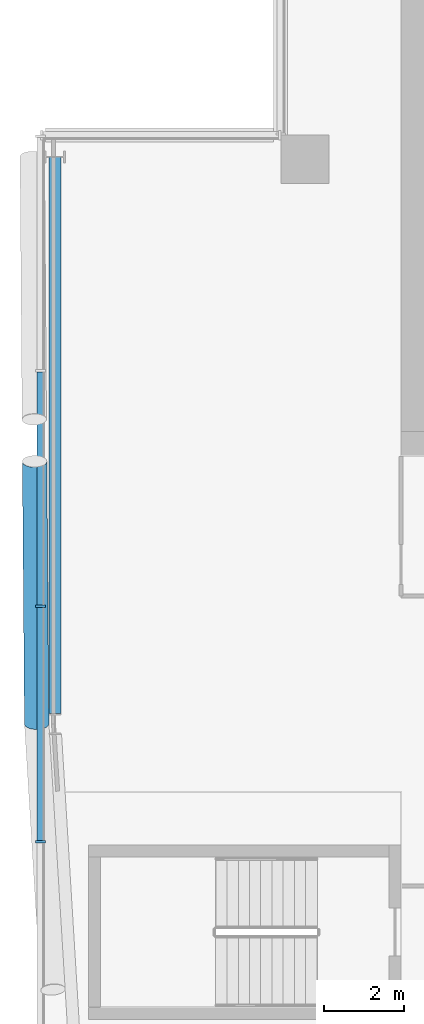
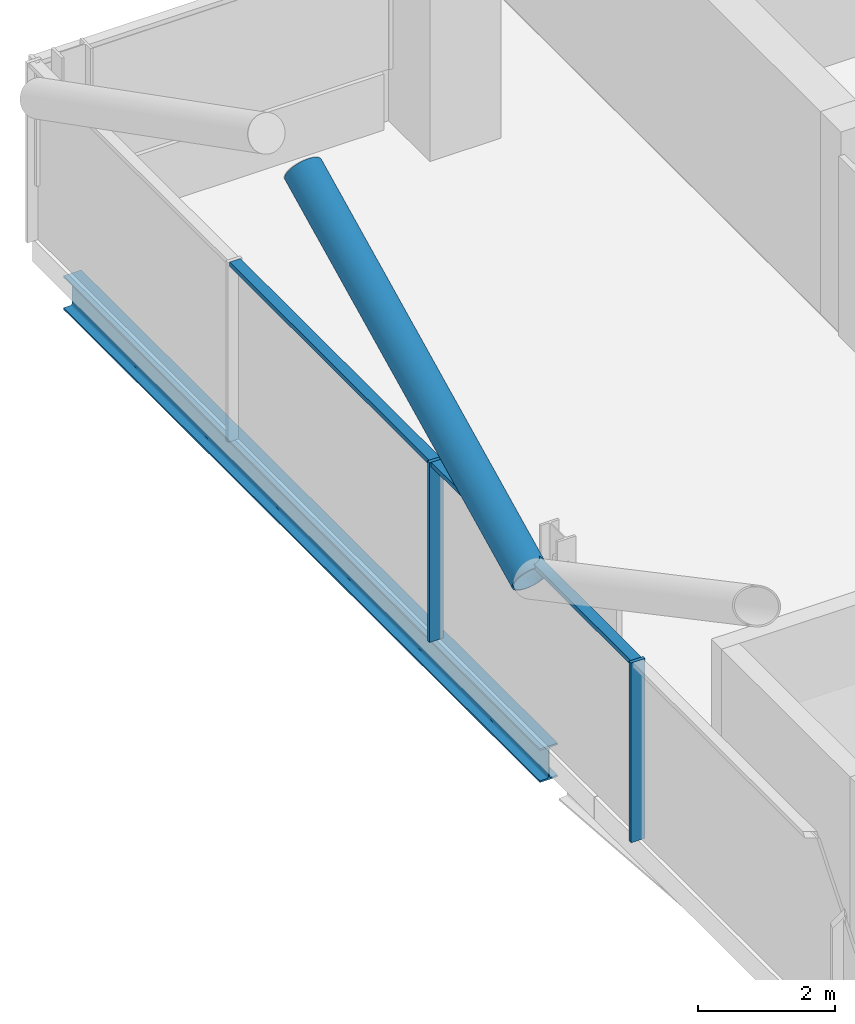
# One storey, part 7 of 26: 5 members, 1 beam, 1 element without a shape of its own.
"""IFC4 building model written with IfcOpenShell, lengths in metres."""

from ifc_helpers import new_model, si_unit, direction, frame, origin, origin_2d, place, context, subcontext, project, spatial, rectangle, hollow_circle, i_section, extrude, material, material_profile, profile_set, type_object, element, aggregate, save


model = new_model("IFC4")

# Units and contexts
model_context = context("Model", 3, precision=1e-05, world=origin(), true_north=direction((0.0, 1.0)))
body_context = subcontext(model_context, "Body", "Model", "MODEL_VIEW")
ifc_project = project(units=[si_unit("LENGTHUNIT", "METRE"), si_unit("AREAUNIT", "SQUARE_METRE"), si_unit("VOLUMEUNIT", "CUBIC_METRE"), si_unit("PLANEANGLEUNIT", "RADIAN"), si_unit("MASSUNIT", "GRAM", prefix="KILO")], contexts=[model_context])

# Site, building, storey
site_placement = place(None, origin())
site = spatial("IfcSite", under=ifc_project, at=site_placement, CompositionType="ELEMENT")
building_placement = place(site_placement, origin())
building = spatial("IfcBuilding", under=site, at=building_placement, Name="Wharfspan Tower", CompositionType="ELEMENT")
storey_placement = place(building_placement, frame((0.0, 0.0, 217.899902)))
storey = spatial("IfcBuildingStorey", under=building, at=storey_placement, Name="L54", CompositionType="ELEMENT", Elevation=217.899902)

# Beam
ifc_material_1 = material(Name="Steel S355J2", Category="steel")
ifc_material_profile_1 = material_profile(ifc_material_1, i_section(OverallWidth=0.300049, OverallDepth=0.600098, WebThickness=0.015381, FlangeThickness=0.030029, FilletRadius=0.0271, at=origin_2d()))
ifc_profile_set_1 = profile_set([ifc_material_profile_1], Name="Steel S355J2")
beam_type = type_object("IfcBeamType", Name="Edge beam HEB 600", PredefinedType="SPANDREL", material=ifc_profile_set_1)
beam_placement = place(storey_placement, frame((14.356934, 41.453125, -0.699951), z_axis=(0.000211, -1.0, 0.0), x_axis=(1.0, 0.000211, 0.0)))
element("IfcBeam", 1, at=beam_placement, inside=storey, type_object=beam_type, Name="Edge beam W L54 PNRW-H.1 to PW.1", PredefinedType="SPANDREL", context=body_context, shape_type="SweptSolid", body=[
    extrude(i_section(OverallWidth=0.300049, OverallDepth=0.600098, WebThickness=0.015381, FlangeThickness=0.030029, FilletRadius=0.0271, at=origin_2d()), origin(), (0.0, 0.0, 1.0), 13.89502),
])

# Curtain wall, members
ifc_material_2 = material(Name="Aluminium 6063-T6", Category="aluminium")
curtain_wall_type = type_object("IfcCurtainWallType", Name="CURTAIN WALL PROW AND END", PredefinedType="NOTDEFINED", material=ifc_material_2)
curtain_wall_placement = place(storey_placement, origin())
curtain_wall = element("IfcCurtainWall", 2, at=curtain_wall_placement, inside=storey, type_object=curtain_wall_type, Name="Curtain wall W", PredefinedType="NOTDEFINED")
ifc_material_profile_2 = material_profile(ifc_material_2, rectangle(XDim=0.23999, YDim=0.060059, at=origin_2d()))
ifc_profile_set_2 = profile_set([ifc_material_profile_2], Name="Aluminium 6063-T6")
member_type_1 = type_object("IfcMemberType", Name="MULLION PROW AND END 60x240", PredefinedType="MULLION", material=ifc_profile_set_2)
member_1_placement = place(storey_placement, frame((14.0, 30.23999, 0.0), z_axis=(0.0, 0.0, 1.0), x_axis=(1.0, 0.0, 0.0)))
member_1 = element("IfcMember", 3, at=member_1_placement, type_object=member_type_1, Name="Curtain wall W mullion 3", PredefinedType="MULLION", context=body_context, shape_type="SweptSolid", body=[
    extrude(rectangle(XDim=0.23999, YDim=0.060059, at=origin_2d()), origin(), (0.0, 0.0, 1.0), 3.200195),
])
member_2_placement = place(storey_placement, frame((14.0, 24.360107, 0.0), z_axis=(0.0, 0.0, 1.0), x_axis=(1.0, 0.0, 0.0)))
member_2 = element("IfcMember", 4, at=member_2_placement, type_object=member_type_1, Name="Curtain wall W mullion 4", PredefinedType="MULLION", context=body_context, shape_type="SweptSolid", body=[
    extrude(rectangle(XDim=0.23999, YDim=0.060059, at=origin_2d()), origin(), (0.0, 0.0, 1.0), 3.200195),
])

# Member
ifc_material_3 = material(Name="Steel S460NH", Category="steel")
ifc_material_profile_3 = material_profile(ifc_material_3, hollow_circle(Radius=0.304932, WallThickness=0.024902, at=origin_2d()))
ifc_profile_set_3 = profile_set([ifc_material_profile_3], Name="Steel S460NH")
member_type_2 = type_object("IfcMemberType", Name="Mega brace CHS 610x25", PredefinedType="BRACE", material=ifc_profile_set_3)
member_3_placement = place(storey_placement, frame((13.905029, 27.300049, 2.900146), z_axis=(-0.007044, 0.891361, 0.45324), x_axis=(-0.999973, -0.007904, 3e-06)))
element("IfcMember", 5, at=member_3_placement, inside=storey, type_object=member_type_2, Name="Mega brace W3 L55 part 3", PredefinedType="BRACE", context=body_context, shape_type="SweptSolid", body=[
    extrude(hollow_circle(Radius=0.304932, WallThickness=0.024902, at=origin_2d()), origin(), (0.0, 0.0, 1.0), 7.347168),
])

ifc_material_profile_4 = material_profile(ifc_material_2, rectangle(XDim=0.179932, YDim=0.080078, at=origin_2d()))
ifc_profile_set_4 = profile_set([ifc_material_profile_4], Name="Aluminium 6063-T6")
member_type_3 = type_object("IfcMemberType", Name="TRANSOM PROW AND END 80x180", PredefinedType="USERDEFINED", material=ifc_profile_set_4)
member_4_placement = place(storey_placement, frame((14.0, 36.090088, 3.160156), z_axis=(0.0, -1.0, 0.0), x_axis=(1.0, 0.0, 0.0)))
member_4 = element("IfcMember", 6, at=member_4_placement, type_object=member_type_3, Name="Curtain wall W transom 2", ObjectType="TRANSOM", PredefinedType="USERDEFINED", context=body_context, shape_type="SweptSolid", body=[
    extrude(rectangle(XDim=0.179932, YDim=0.080078, at=origin_2d()), origin(), (0.0, 0.0, 1.0), 5.820068),
])

member_5_placement = place(storey_placement, frame((14.0, 30.209961, 3.160156), z_axis=(0.0, -1.0, 0.0), x_axis=(1.0, 0.0, 0.0)))
member_5 = element("IfcMember", 7, at=member_5_placement, type_object=member_type_3, Name="Curtain wall W transom 3", ObjectType="TRANSOM", PredefinedType="USERDEFINED", context=body_context, shape_type="SweptSolid", body=[
    extrude(rectangle(XDim=0.179932, YDim=0.080078, at=origin_2d()), origin(), (0.0, 0.0, 1.0), 5.820068),
])

aggregate(curtain_wall, [member_1, member_2, member_4, member_5])

save(model, "model.ifc")
